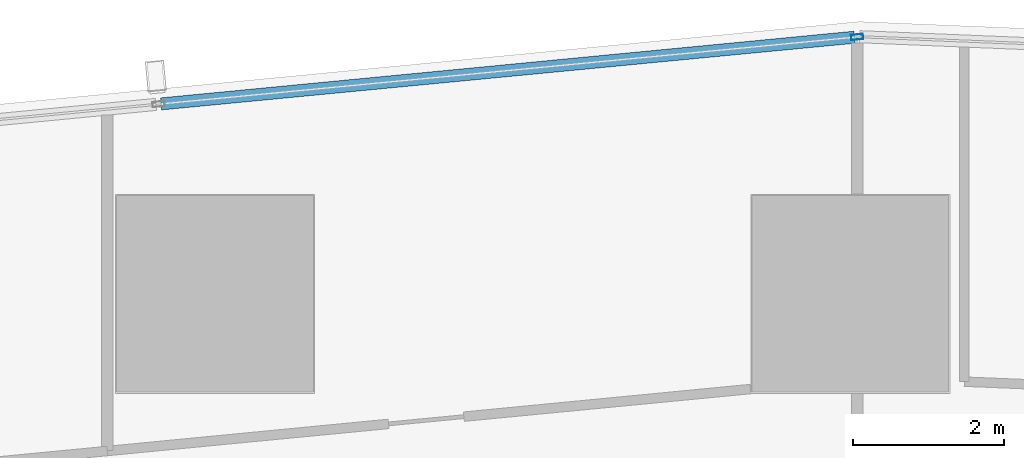
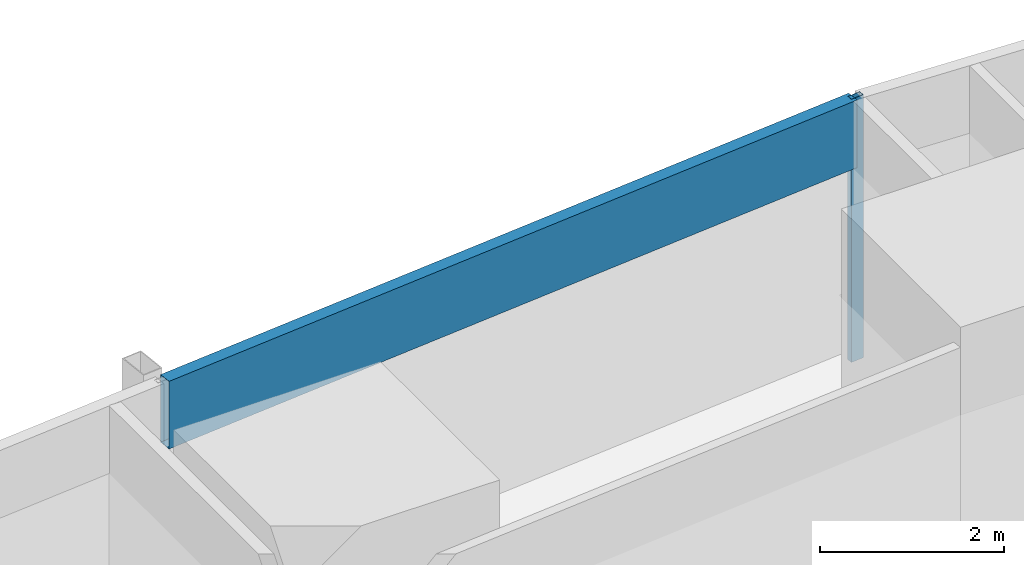
# One storey, part 17 of 46: 2 members, 1 element without a shape of its own.
"""IFC4 building model written with IfcOpenShell, lengths in metres."""

from ifc_helpers import new_model, si_unit, direction, frame, origin, origin_2d, place, context, subcontext, project, spatial, hollow_rectangle, extrude, material, material_profile, profile_set, type_object, element, aggregate, save


model = new_model("IFC4")

# Units and contexts
model_context = context("Model", 3, precision=1e-05, world=origin(), true_north=direction((0.0, 1.0)))
body_context = subcontext(model_context, "Body", "Model", "MODEL_VIEW")
ifc_project = project(units=[si_unit("LENGTHUNIT", "METRE"), si_unit("AREAUNIT", "SQUARE_METRE"), si_unit("VOLUMEUNIT", "CUBIC_METRE"), si_unit("PLANEANGLEUNIT", "RADIAN"), si_unit("MASSUNIT", "GRAM", prefix="KILO")], contexts=[model_context])

# Site, building, storey
site_placement = place(None, origin())
site = spatial("IfcSite", under=ifc_project, at=site_placement, CompositionType="ELEMENT")
building_placement = place(site_placement, origin())
building = spatial("IfcBuilding", under=site, at=building_placement, Name="Rekha Terrace Tower", CompositionType="ELEMENT")
storey_placement = place(building_placement, frame((0.0, 0.0, 29.14990234375)))
storey = spatial("IfcBuildingStorey", under=building, at=storey_placement, Name="L06", CompositionType="ELEMENT", Elevation=29.14990234375)

# Curtain wall, members
ifc_material_1 = material(Name="Aluminium framing", Category="aluminium")
curtain_wall_type = type_object("IfcCurtainWallType", Name="CW3 north unitised glazing", PredefinedType="USERDEFINED", material=ifc_material_1)
curtain_wall_placement = place(storey_placement, origin())
curtain_wall = element("IfcCurtainWall", 1, at=curtain_wall_placement, inside=storey, type_object=curtain_wall_type, Name="CW3 unitised curtain wall", ObjectType="UNITISED CURTAIN WALL", PredefinedType="USERDEFINED")
ifc_material_2 = material(Name="Aluminium mullion section", Category="aluminium")
ifc_material_profile_1 = material_profile(ifc_material_2, hollow_rectangle(XDim=0.070068359375, YDim=0.159912109375, WallThickness=0.00390625, at=origin_2d()), Name="AL RHS 70x160")
ifc_profile_set_1 = profile_set([ifc_material_profile_1], Name="Aluminium mullion section")
member_type_1 = type_object("IfcMemberType", Name="CW3 mullion RHS 70 x 160", PredefinedType="MULLION", material=ifc_profile_set_1)
member_1_placement = place(storey_placement, frame((25.29052734375, 62.1962890625, 0.0), z_axis=(0.0, 0.0, 1.0), x_axis=(0.095712406625, -0.995409029102, 0.0)))
member_1 = element("IfcMember", 2, at=member_1_placement, type_object=member_type_1, Name="CW3 mullion 1", PredefinedType="MULLION", context=body_context, shape_type="SweptSolid", body=[
    extrude(hollow_rectangle(XDim=0.070068359375, YDim=0.159912109375, WallThickness=0.00390625, at=origin_2d()), origin(), (0.0, 0.0, 1.0), 3.5),
])
ifc_material_3 = material(Name="Insulated aluminium spandrel box", Category="aluminium")
ifc_material_profile_2 = material_profile(ifc_material_3, hollow_rectangle(XDim=0.159912109375, YDim=0.89990234375, WallThickness=0.0029296875, at=origin_2d()), Name="AL SPANDREL BOX 160x900")
ifc_profile_set_2 = profile_set([ifc_material_profile_2], Name="Insulated aluminium spandrel box")
member_type_2 = type_object("IfcMemberType", Name="CW3 spandrel transom 160 x 900", PredefinedType="USERDEFINED", material=ifc_profile_set_2)
member_2_placement = place(storey_placement, frame((25.255859375, 62.19287109375, 3.050048828125), z_axis=(-0.995408446287, -0.095718467713, 0.0), x_axis=(0.095718467713, -0.995408446287, 0.0)))
member_2 = element("IfcMember", 3, at=member_2_placement, type_object=member_type_2, Name="CW3 spandrel transom 1", ObjectType="TRANSOM", PredefinedType="USERDEFINED", context=body_context, shape_type="SweptSolid", body=[
    extrude(hollow_rectangle(XDim=0.159912109375, YDim=0.89990234375, WallThickness=0.0029296875, at=origin_2d()), origin(), (0.0, 0.0, 1.0), 9.210205078125),
])
aggregate(curtain_wall, [member_1, member_2])

save(model, "model.ifc")
